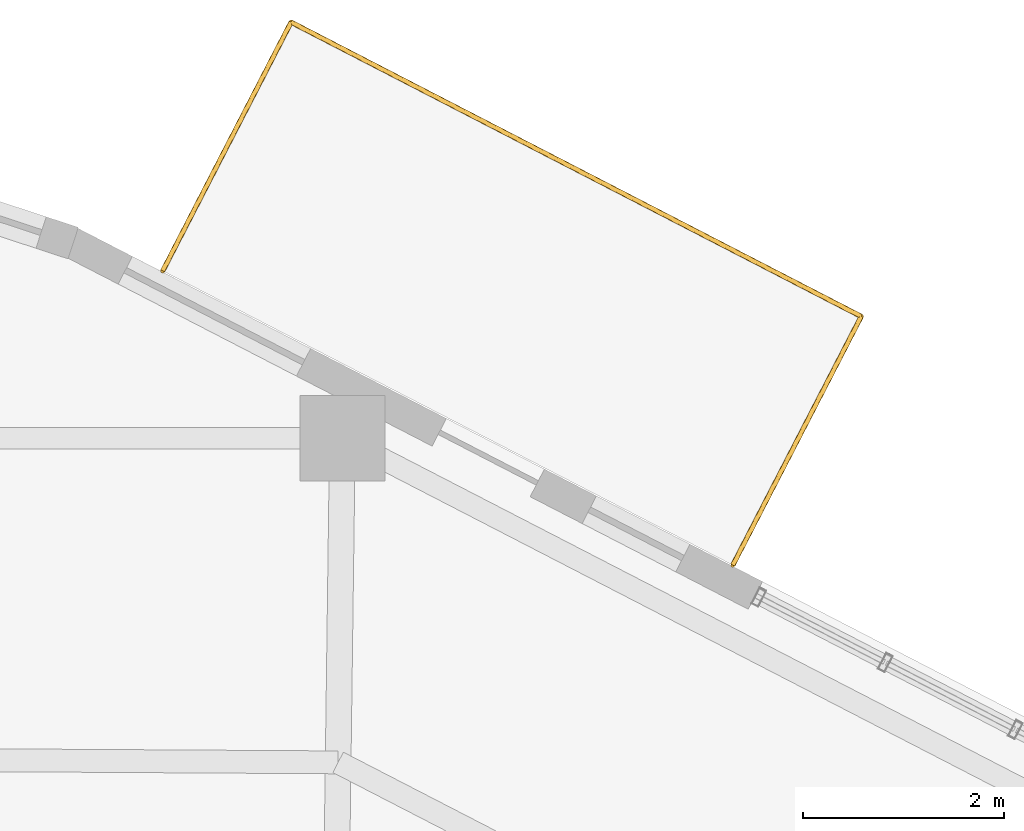
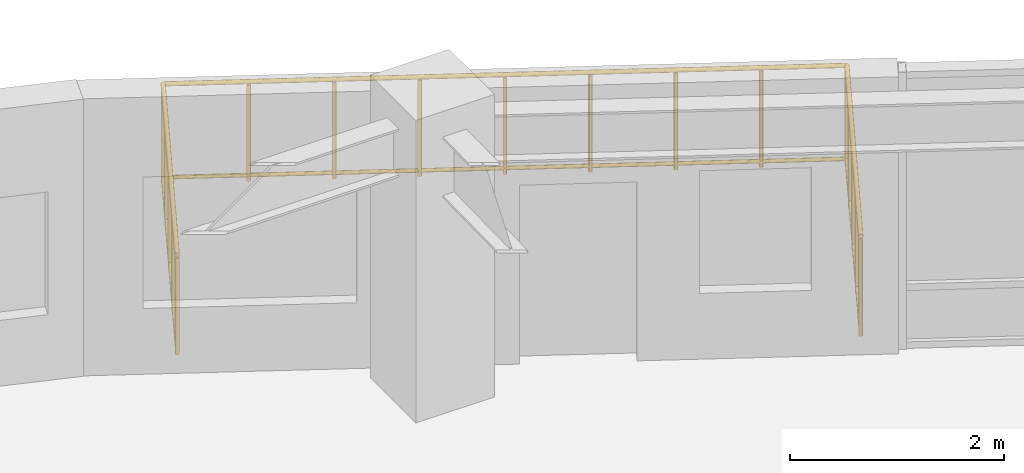
# One storey, part 11 of 11: 1 railing.
"""IFC4 building model written with IfcOpenShell, lengths in metres."""

from ifc_helpers import new_model, si_unit, direction, frame, origin, origin_2d, place, context, subcontext, project, spatial, circle, extrude, material, type_object, element, save


model = new_model("IFC4")

# Units and contexts
model_context = context("Model", 3, precision=1e-05, world=origin(), true_north=direction((0.0, 1.0)))
body_context = subcontext(model_context, "Body", "Model", "MODEL_VIEW")
ifc_project = project(units=[si_unit("LENGTHUNIT", "METRE"), si_unit("AREAUNIT", "SQUARE_METRE"), si_unit("VOLUMEUNIT", "CUBIC_METRE"), si_unit("PLANEANGLEUNIT", "RADIAN"), si_unit("MASSUNIT", "GRAM", prefix="KILO"), si_unit("THERMODYNAMICTEMPERATUREUNIT", "KELVIN"), si_unit("POWERUNIT", "WATT")], contexts=[model_context])

# Site, building, storey
site_placement = place(None, origin())
site = spatial("IfcSite", under=ifc_project, at=site_placement, CompositionType="ELEMENT")
building_placement = place(site_placement, origin())
building = spatial("IfcBuilding", under=site, at=building_placement, Name="Skarre Station Tower", CompositionType="ELEMENT")
storey_placement = place(building_placement, frame((0.0, 0.0, 170.550048828125)))
storey = spatial("IfcBuildingStorey", under=building, at=storey_placement, Name="L46", CompositionType="ELEMENT", Elevation=170.550048828125)

# Railing
ifc_material = material(Name="Stainless Steel Grade 316L & Laminated Safety Glass", Category="steel")
railing_type = type_object("IfcRailingType", Name="Laminated Glass & Stainless Terrace Guardrail 1150", PredefinedType="BALUSTRADE", material=ifc_material)
railing_placement = place(storey_placement, frame((37.81103515625, 42.554931640625, 0.0)))
element("IfcRailing", 1, at=railing_placement, inside=storey, type_object=railing_type, Name="L46 SG-2 Conservatory Terrace Guardrail", PredefinedType="BALUSTRADE", context=body_context, shape_type="SweptSolid", body=[
    extrude(circle(Radius=0.02392578125, at=origin_2d()), frame((0.0, 0.0, 1.1259765625), z_axis=(0.458520300299, 0.888683933811, 0.0), x_axis=(-0.888683933811, 0.458520300299, 0.0)), (0.0, 0.0, 1.0), 2.78955078125),
    extrude(circle(Radius=0.02099609375, at=origin_2d()), frame((0.0, 0.0, 0.06005859375), z_axis=(0.458520300299, 0.888683933811, 0.0), x_axis=(-0.888683933811, 0.458520300299, 0.0)), (0.0, 0.0, 1.0), 2.78955078125),
    extrude(circle(Radius=0.02392578125, at=origin_2d()), frame((1.279052734375, 2.47900390625, 1.1259765625), z_axis=(0.888635212, -0.458614718467, 0.0), x_axis=(0.458614718467, 0.888635212, 0.0)), (0.0, 0.0, 1.0), 6.39501953125),
    extrude(circle(Radius=0.02099609375, at=origin_2d()), frame((1.279052734375, 2.47900390625, 0.06005859375), z_axis=(0.888635212, -0.458614718467, 0.0), x_axis=(0.458614718467, 0.888635212, 0.0)), (0.0, 0.0, 1.0), 6.39501953125),
    extrude(circle(Radius=0.02392578125, at=origin_2d()), frame((6.9619140625, -0.453857421875, 1.1259765625), z_axis=(-0.458796714428, -0.888541262312, 0.0), x_axis=(0.888541262312, -0.458796714428, 0.0)), (0.0, 0.0, 1.0), 2.7900390625),
    extrude(circle(Radius=0.02099609375, at=origin_2d()), frame((6.9619140625, -0.453857421875, 0.06005859375), z_axis=(-0.458796714428, -0.888541262312, 0.0), x_axis=(0.888541262312, -0.458796714428, 0.0)), (0.0, 0.0, 1.0), 2.7900390625),
    extrude(circle(Radius=0.02099609375, at=origin_2d()), origin(), (0.0, 0.0, 1.0), 1.101806640625),
    extrude(circle(Radius=0.02099609375, at=origin_2d()), frame((0.31982421875, 0.61962890625, 0.0)), (0.0, 0.0, 1.0), 1.101806640625),
    extrude(circle(Radius=0.02099609375, at=origin_2d()), frame((0.6396484375, 1.239501953125, 0.0)), (0.0, 0.0, 1.0), 1.101806640625),
    extrude(circle(Radius=0.02099609375, at=origin_2d()), frame((0.959228515625, 1.859375, 0.0)), (0.0, 0.0, 1.0), 1.101806640625),
    extrude(circle(Radius=0.02099609375, at=origin_2d()), frame((1.279052734375, 2.47900390625, 0.0)), (0.0, 0.0, 1.0), 1.101806640625),
    extrude(circle(Radius=0.02099609375, at=origin_2d()), frame((1.989501953125, 2.1123046875, 0.0)), (0.0, 0.0, 1.0), 1.101806640625),
    extrude(circle(Radius=0.02099609375, at=origin_2d()), frame((2.69970703125, 1.745849609375, 0.0)), (0.0, 0.0, 1.0), 1.101806640625),
    extrude(circle(Radius=0.02099609375, at=origin_2d()), frame((3.41015625, 1.379150390625, 0.0)), (0.0, 0.0, 1.0), 1.101806640625),
    extrude(circle(Radius=0.02099609375, at=origin_2d()), frame((4.12060546875, 1.0126953125, 0.0)), (0.0, 0.0, 1.0), 1.101806640625),
    extrude(circle(Radius=0.02099609375, at=origin_2d()), frame((4.830810546875, 0.64599609375, 0.0)), (0.0, 0.0, 1.0), 1.101806640625),
    extrude(circle(Radius=0.02099609375, at=origin_2d()), frame((5.541259765625, 0.279296875, 0.0)), (0.0, 0.0, 1.0), 1.101806640625),
    extrude(circle(Radius=0.02099609375, at=origin_2d()), frame((6.25146484375, -0.087158203125, 0.0)), (0.0, 0.0, 1.0), 1.101806640625),
    extrude(circle(Radius=0.02099609375, at=origin_2d()), frame((6.9619140625, -0.453857421875, 0.0)), (0.0, 0.0, 1.0), 1.101806640625),
    extrude(circle(Radius=0.02099609375, at=origin_2d()), frame((6.641845703125, -1.07373046875, 0.0)), (0.0, 0.0, 1.0), 1.101806640625),
    extrude(circle(Radius=0.02099609375, at=origin_2d()), frame((6.32177734375, -1.693359375, 0.0)), (0.0, 0.0, 1.0), 1.101806640625),
    extrude(circle(Radius=0.02099609375, at=origin_2d()), frame((6.001953125, -2.31298828125, 0.0)), (0.0, 0.0, 1.0), 1.101806640625),
    extrude(circle(Radius=0.02099609375, at=origin_2d()), frame((5.681884765625, -2.932861328125, 0.0)), (0.0, 0.0, 1.0), 1.101806640625),
])

save(model, "model.ifc")
